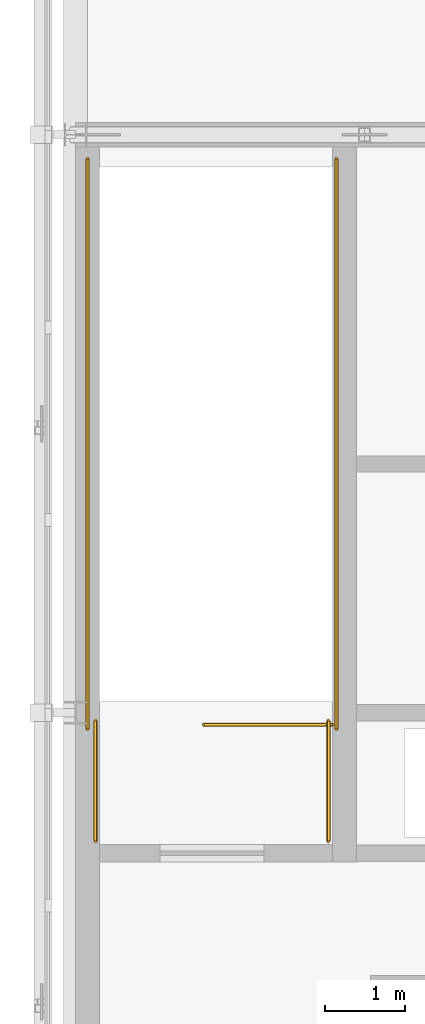
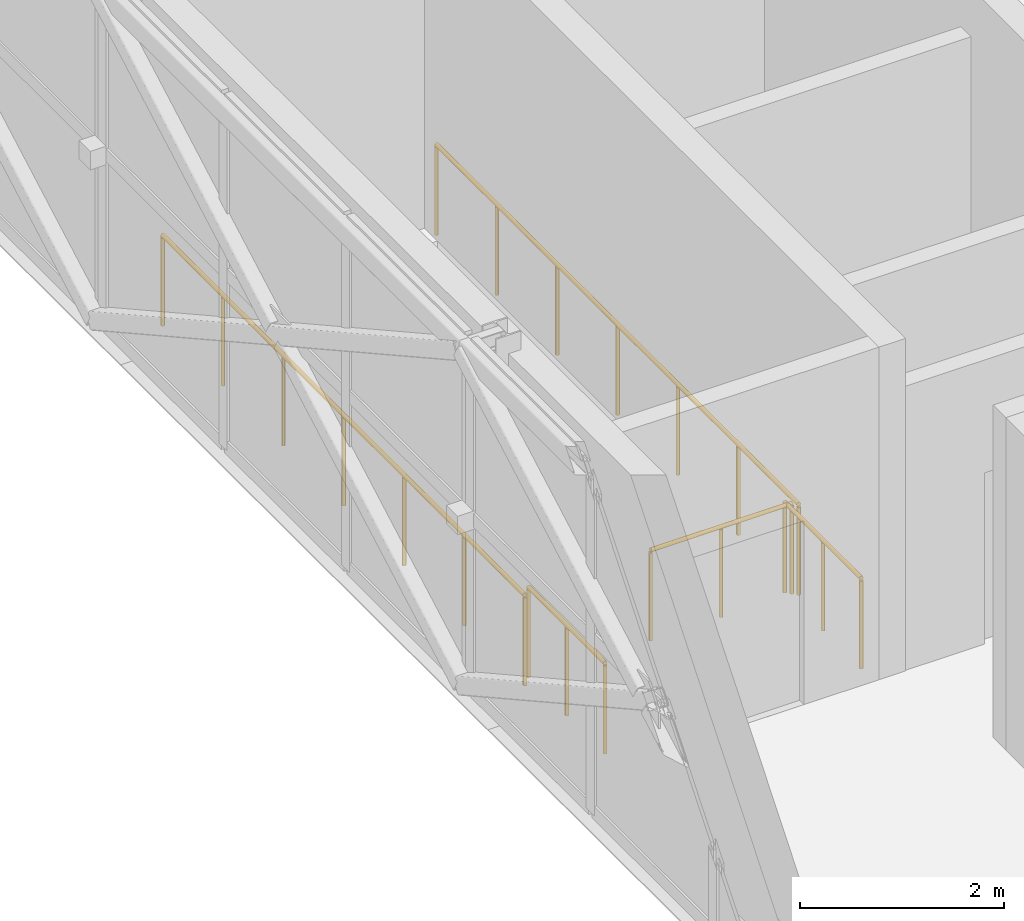
# One storey, part 146 of 146: 5 railings.
"""IFC4 building model written with IfcOpenShell, lengths in metres."""

from ifc_helpers import new_model, si_unit, direction, frame, origin, origin_2d, place, context, subcontext, project, spatial, circle, extrude, material, type_object, element, save


model = new_model("IFC4")

# Units and contexts
model_context = context("Model", 3, precision=1e-05, world=origin(), true_north=direction((0.0, 1.0)))
body_context = subcontext(model_context, "Body", "Model", "MODEL_VIEW")
ifc_project = project(units=[si_unit("LENGTHUNIT", "METRE"), si_unit("AREAUNIT", "SQUARE_METRE"), si_unit("VOLUMEUNIT", "CUBIC_METRE"), si_unit("PLANEANGLEUNIT", "RADIAN"), si_unit("MASSUNIT", "GRAM", prefix="KILO")], contexts=[model_context])

# Site, building, storey
site_placement = place(None, origin())
site = spatial("IfcSite", under=ifc_project, at=site_placement, CompositionType="ELEMENT")
building_placement = place(site_placement, origin())
building = spatial("IfcBuilding", under=site, at=building_placement, Name="Zlatovets Crest Museum", CompositionType="ELEMENT")
storey_placement = place(building_placement, frame((0.0, 0.0, 4.5)))
storey = spatial("IfcBuildingStorey", under=building, at=storey_placement, Name="L01", CompositionType="ELEMENT", Elevation=4.5)

# Railings
ifc_material = material(Name="Painted steel safety guardrail", Category="steel")
railing_type = type_object("IfcRailingType", Name="StairGuard_SG01", PredefinedType="GUARDRAIL", material=ifc_material)
railing_placement = place(storey_placement, frame((132.800048828125, 86.25, 0.0)))
element("IfcRailing", 1, at=railing_placement, inside=storey, type_object=railing_type, Name="L01 ST8 top well guard 1", PredefinedType="GUARDRAIL", context=body_context, shape_type="SweptSolid", body=[
    extrude(circle(Radius=0.02392578125, at=origin_2d()), frame((0.0, 0.0, 1.076171875), z_axis=(-1.0, 0.0, 0.0), x_axis=(0.0, -1.0, 0.0)), (0.0, 0.0, 1.0), 1.60009765625),
    extrude(circle(Radius=0.02099609375, at=origin_2d()), origin(), (0.0, 0.0, 1.0), 1.052001953125),
    extrude(circle(Radius=0.02099609375, at=origin_2d()), frame((-0.800048828125, 0.0, 0.0)), (0.0, 0.0, 1.0), 1.052001953125),
    extrude(circle(Radius=0.02099609375, at=origin_2d()), frame((-1.60009765625, 0.0, 0.0)), (0.0, 0.0, 1.0), 1.052001953125),
])
for number, where, name in (
    (2, (132.85009765625, 86.199951171875, 0.0), "L01 ST8 top well guard 2"),
    (3, (129.75, 86.199951171875, 0.0), "L01 ST8 top well guard 3"),
):
    element("IfcRailing", number, at=place(storey_placement, frame(where)), inside=storey, type_object=railing_type, Name=name, PredefinedType="GUARDRAIL", context=body_context, shape_type="SweptSolid", body=[
        extrude(circle(Radius=0.02392578125, at=origin_2d()), frame((0.0, 0.0, 1.076171875), z_axis=(0.0, 1.0, 0.0), x_axis=(-1.0, 0.0, 0.0)), (0.0, 0.0, 1.0), 7.10009765625),
        extrude(circle(Radius=0.02099609375, at=origin_2d()), origin(), (0.0, 0.0, 1.0), 1.052001953125),
        extrude(circle(Radius=0.02099609375, at=origin_2d()), frame((0.0, 1.183349609375, 0.0)), (0.0, 0.0, 1.0), 1.052001953125),
        extrude(circle(Radius=0.02099609375, at=origin_2d()), frame((0.0, 2.36669921875, 0.0)), (0.0, 0.0, 1.0), 1.052001953125),
        extrude(circle(Radius=0.02099609375, at=origin_2d()), frame((0.0, 3.550048828125, 0.0)), (0.0, 0.0, 1.0), 1.052001953125),
        extrude(circle(Radius=0.02099609375, at=origin_2d()), frame((0.0, 4.7333984375, 0.0)), (0.0, 0.0, 1.0), 1.052001953125),
        extrude(circle(Radius=0.02099609375, at=origin_2d()), frame((0.0, 5.916748046875, 0.0)), (0.0, 0.0, 1.0), 1.052001953125),
        extrude(circle(Radius=0.02099609375, at=origin_2d()), frame((0.0, 7.10009765625, 0.0)), (0.0, 0.0, 1.0), 1.052001953125),
    ])
for number, where, name in (
    (4, (132.75, 84.800048828125, 0.0), "L01 ST8 top well guard 4"),
    (5, (129.85009765625, 84.800048828125, 0.0), "L01 ST8 top well guard 5"),
):
    element("IfcRailing", number, at=place(storey_placement, frame(where)), inside=storey, type_object=railing_type, Name=name, PredefinedType="GUARDRAIL", context=body_context, shape_type="SweptSolid", body=[
        extrude(circle(Radius=0.02392578125, at=origin_2d()), frame((0.0, 0.0, 1.076171875), z_axis=(0.0, 1.0, 0.0), x_axis=(-1.0, 0.0, 0.0)), (0.0, 0.0, 1.0), 1.5),
        extrude(circle(Radius=0.02099609375, at=origin_2d()), origin(), (0.0, 0.0, 1.0), 1.052001953125),
        extrude(circle(Radius=0.02099609375, at=origin_2d()), frame((0.0, 0.75, 0.0)), (0.0, 0.0, 1.0), 1.052001953125),
        extrude(circle(Radius=0.02099609375, at=origin_2d()), frame((0.0, 1.5, 0.0)), (0.0, 0.0, 1.0), 1.052001953125),
    ])

save(model, "model.ifc")
